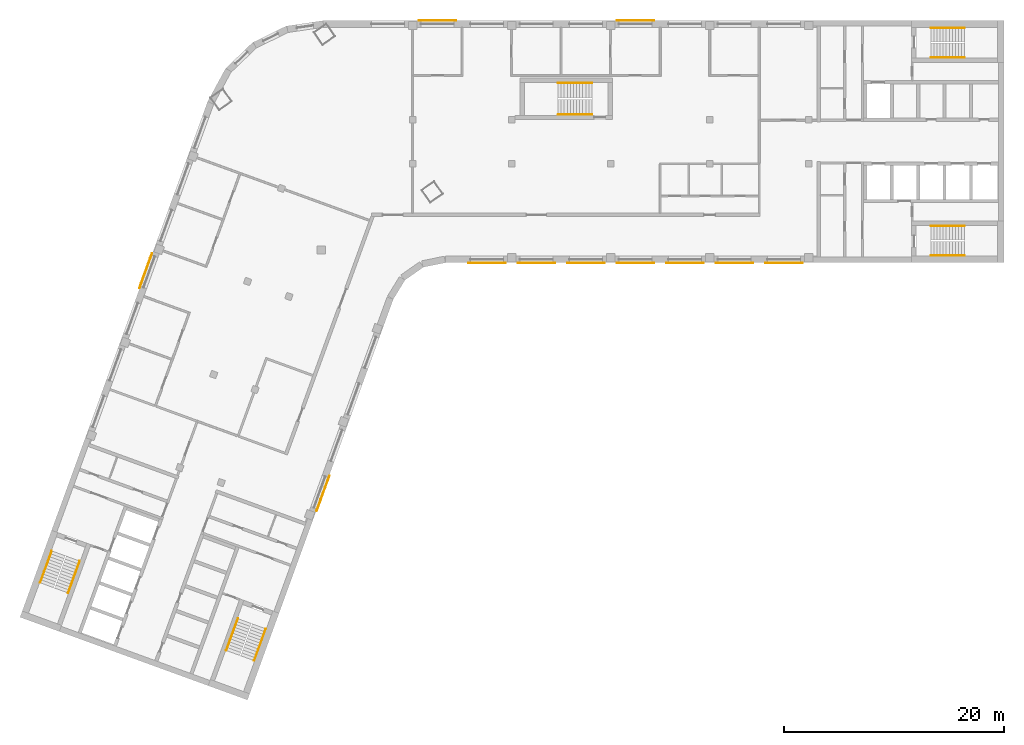
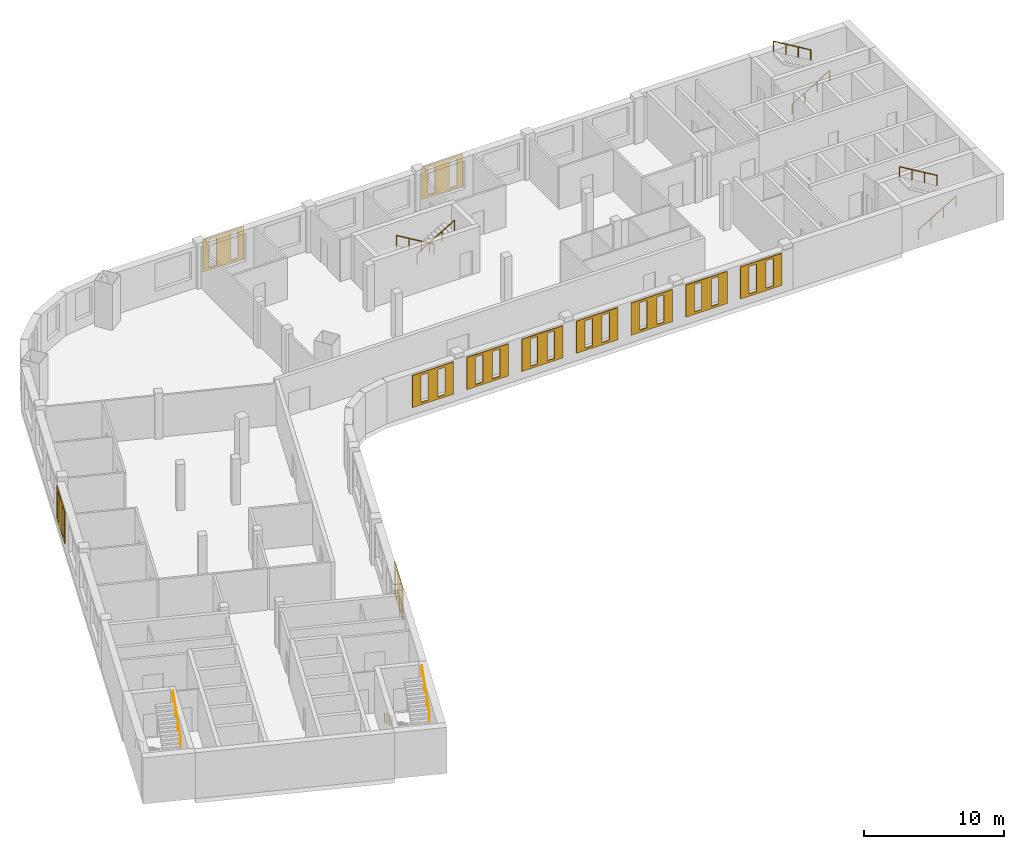
# One storey, part 8 of 8: 11 coverings, 10 railings.
"""IFC4 building model written with IfcOpenShell, lengths in metres."""

from ifc_helpers import new_model, si_unit, direction, frame, origin, origin_2d, place, context, subcontext, project, spatial, polyline, circle, outline, extrude, material, material_profile, profile_set, type_object, element, save


model = new_model("IFC4")

# Units and contexts
model_context = context("Model", 3, precision=1e-05, world=origin(), true_north=direction((0.0, 1.0)))
body_context = subcontext(model_context, "Body", "Model", "MODEL_VIEW")
ifc_project = project(units=[si_unit("LENGTHUNIT", "METRE"), si_unit("AREAUNIT", "SQUARE_METRE"), si_unit("VOLUMEUNIT", "CUBIC_METRE"), si_unit("PLANEANGLEUNIT", "RADIAN"), si_unit("MASSUNIT", "GRAM", prefix="KILO")], contexts=[model_context])

# Site, building, storey
site_placement = place(None, origin())
site = spatial("IfcSite", under=ifc_project, at=site_placement, CompositionType="ELEMENT")
building_placement = place(site_placement, origin())
building = spatial("IfcBuilding", under=site, at=building_placement, Name="Skarvind Civic Tower", CompositionType="ELEMENT")
storey_placement = place(building_placement, frame((0.0, 0.0, 200.0)))
storey = spatial("IfcBuildingStorey", under=building, at=storey_placement, Name="L47", CompositionType="ELEMENT", Elevation=200.0)

# Railings
ifc_material_1 = material(Name="Painted steel handrail", Category="steel")
railing_type = type_object("IfcRailingType", Name="Stair handrail 900", PredefinedType="HANDRAIL", material=ifc_material_1)
railing_1_placement = place(storey_placement, frame((101.35009765625, 135.64990234375, 0.166748046875)))
element("IfcRailing", 1, at=railing_1_placement, inside=storey, type_object=railing_type, Name="Stair handrail", PredefinedType="HANDRAIL", context=body_context, shape_type="SweptSolid", body=[
    extrude(circle(Radius=0.02392578125, at=origin_2d()), frame((0.0, 0.0, 0.8759765625), z_axis=(0.859290745958, 0.0, 0.51148745235), x_axis=(0.0, 1.0, 0.0)), (0.0, 0.0, 1.0), 3.584228515625),
    extrude(circle(Radius=0.02099609375, at=origin_2d()), origin(), (0.0, 0.0, 1.0), 0.851806640625),
    extrude(circle(Radius=0.02099609375, at=origin_2d()), frame((1.026611328125, 0.0, 0.611083984375)), (0.0, 0.0, 1.0), 0.851806640625),
    extrude(circle(Radius=0.02099609375, at=origin_2d()), frame((2.05322265625, 0.0, 1.22216796875)), (0.0, 0.0, 1.0), 0.851806640625),
    extrude(circle(Radius=0.02099609375, at=origin_2d()), frame((3.079833984375, 0.0, 1.833251953125)), (0.0, 0.0, 1.0), 0.851806640625),
])
railing_2_placement = place(storey_placement, frame((104.429931640625, 138.35009765625, 2.166748046875)))
element("IfcRailing", 2, at=railing_2_placement, inside=storey, type_object=railing_type, Name="Stair handrail", PredefinedType="HANDRAIL", context=body_context, shape_type="SweptSolid", body=[
    extrude(circle(Radius=0.02392578125, at=origin_2d()), frame((0.0, 0.0, 0.8759765625), z_axis=(-0.859290745958, 0.0, 0.51148745235), x_axis=(0.0, -1.0, 0.0)), (0.0, 0.0, 1.0), 3.584228515625),
    extrude(circle(Radius=0.02099609375, at=origin_2d()), origin(), (0.0, 0.0, 1.0), 0.851806640625),
    extrude(circle(Radius=0.02099609375, at=origin_2d()), frame((-1.026611328125, 0.0, 0.611083984375)), (0.0, 0.0, 1.0), 0.851806640625),
    extrude(circle(Radius=0.02099609375, at=origin_2d()), frame((-2.05322265625, 0.0, 1.22216796875)), (0.0, 0.0, 1.0), 0.851806640625),
    extrude(circle(Radius=0.02099609375, at=origin_2d()), frame((-3.079833984375, 0.0, 1.833251953125)), (0.0, 0.0, 1.0), 0.851806640625),
])
railing_3_placement = place(storey_placement, frame((101.35009765625, 117.64990234375, 0.166748046875)))
element("IfcRailing", 3, at=railing_3_placement, inside=storey, type_object=railing_type, Name="Stair handrail", PredefinedType="HANDRAIL", context=body_context, shape_type="SweptSolid", body=[
    extrude(circle(Radius=0.02392578125, at=origin_2d()), frame((0.0, 0.0, 0.8759765625), z_axis=(0.859290745958, 0.0, 0.51148745235), x_axis=(0.0, 1.0, 0.0)), (0.0, 0.0, 1.0), 3.584228515625),
    extrude(circle(Radius=0.02099609375, at=origin_2d()), origin(), (0.0, 0.0, 1.0), 0.851806640625),
    extrude(circle(Radius=0.02099609375, at=origin_2d()), frame((1.026611328125, 0.0, 0.611083984375)), (0.0, 0.0, 1.0), 0.851806640625),
    extrude(circle(Radius=0.02099609375, at=origin_2d()), frame((2.05322265625, 0.0, 1.22216796875)), (0.0, 0.0, 1.0), 0.851806640625),
    extrude(circle(Radius=0.02099609375, at=origin_2d()), frame((3.079833984375, 0.0, 1.833251953125)), (0.0, 0.0, 1.0), 0.851806640625),
])
railing_4_placement = place(storey_placement, frame((104.429931640625, 120.35009765625, 2.166748046875)))
element("IfcRailing", 4, at=railing_4_placement, inside=storey, type_object=railing_type, Name="Stair handrail", PredefinedType="HANDRAIL", context=body_context, shape_type="SweptSolid", body=[
    extrude(circle(Radius=0.02392578125, at=origin_2d()), frame((0.0, 0.0, 0.8759765625), z_axis=(-0.859290745958, 0.0, 0.51148745235), x_axis=(0.0, -1.0, 0.0)), (0.0, 0.0, 1.0), 3.584228515625),
    extrude(circle(Radius=0.02099609375, at=origin_2d()), origin(), (0.0, 0.0, 1.0), 0.851806640625),
    extrude(circle(Radius=0.02099609375, at=origin_2d()), frame((-1.026611328125, 0.0, 0.611083984375)), (0.0, 0.0, 1.0), 0.851806640625),
    extrude(circle(Radius=0.02099609375, at=origin_2d()), frame((-2.05322265625, 0.0, 1.22216796875)), (0.0, 0.0, 1.0), 0.851806640625),
    extrude(circle(Radius=0.02099609375, at=origin_2d()), frame((-3.079833984375, 0.0, 1.833251953125)), (0.0, 0.0, 1.0), 0.851806640625),
])
railing_5_placement = place(storey_placement, frame((38.362060546875, 84.64794921875, 0.166748046875)))
element("IfcRailing", 5, at=railing_5_placement, inside=storey, type_object=railing_type, Name="Stair handrail", PredefinedType="HANDRAIL", context=body_context, shape_type="SweptSolid", body=[
    extrude(circle(Radius=0.02392578125, at=origin_2d()), frame((0.0, 0.0, 0.8759765625), z_axis=(-0.293908055923, -0.807480881337, 0.511461319103), x_axis=(0.939689235759, -0.342029443467, 0.0)), (0.0, 0.0, 1.0), 3.584228515625),
    extrude(circle(Radius=0.02099609375, at=origin_2d()), origin(), (0.0, 0.0, 1.0), 0.851806640625),
    extrude(circle(Radius=0.02099609375, at=origin_2d()), frame((-0.35107421875, -0.96484375, 0.611083984375)), (0.0, 0.0, 1.0), 0.851806640625),
    extrude(circle(Radius=0.02099609375, at=origin_2d()), frame((-0.702392578125, -1.929443359375, 1.22216796875)), (0.0, 0.0, 1.0), 0.851806640625),
    extrude(circle(Radius=0.02099609375, at=origin_2d()), frame((-1.053466796875, -2.894287109375, 1.833251953125)), (0.0, 0.0, 1.0), 0.851806640625),
])
railing_6_placement = place(storey_placement, frame((39.845703125, 80.830078125, 2.166748046875)))
element("IfcRailing", 6, at=railing_6_placement, inside=storey, type_object=railing_type, Name="Stair handrail", PredefinedType="HANDRAIL", context=body_context, shape_type="SweptSolid", body=[
    extrude(circle(Radius=0.02392578125, at=origin_2d()), frame((0.0, 0.0, 0.8759765625), z_axis=(0.293908055923, 0.807480881337, 0.511461319103), x_axis=(-0.939689235759, 0.342029443467, 0.0)), (0.0, 0.0, 1.0), 3.584228515625),
    extrude(circle(Radius=0.02099609375, at=origin_2d()), origin(), (0.0, 0.0, 1.0), 0.851806640625),
    extrude(circle(Radius=0.02099609375, at=origin_2d()), frame((0.35107421875, 0.96484375, 0.611083984375)), (0.0, 0.0, 1.0), 0.851806640625),
    extrude(circle(Radius=0.02099609375, at=origin_2d()), frame((0.702392578125, 1.929443359375, 1.22216796875)), (0.0, 0.0, 1.0), 0.851806640625),
    extrude(circle(Radius=0.02099609375, at=origin_2d()), frame((1.053466796875, 2.894287109375, 1.833251953125)), (0.0, 0.0, 1.0), 0.851806640625),
])
railing_7_placement = place(storey_placement, frame((21.447509765625, 90.80419921875, 0.166748046875)))
element("IfcRailing", 7, at=railing_7_placement, inside=storey, type_object=railing_type, Name="Stair handrail", PredefinedType="HANDRAIL", context=body_context, shape_type="SweptSolid", body=[
    extrude(circle(Radius=0.02392578125, at=origin_2d()), frame((0.0, 0.0, 0.8759765625), z_axis=(-0.293845824691, -0.807497044902, 0.511471557163), x_axis=(0.939714709796, -0.34195944817, 0.0)), (0.0, 0.0, 1.0), 3.584228515625),
    extrude(circle(Radius=0.02099609375, at=origin_2d()), origin(), (0.0, 0.0, 1.0), 0.851806640625),
    extrude(circle(Radius=0.02099609375, at=origin_2d()), frame((-0.35107421875, -0.96484375, 0.611083984375)), (0.0, 0.0, 1.0), 0.851806640625),
    extrude(circle(Radius=0.02099609375, at=origin_2d()), frame((-0.7021484375, -1.929443359375, 1.22216796875)), (0.0, 0.0, 1.0), 0.851806640625),
    extrude(circle(Radius=0.02099609375, at=origin_2d()), frame((-1.05322265625, -2.894287109375, 1.833251953125)), (0.0, 0.0, 1.0), 0.851806640625),
])
railing_8_placement = place(storey_placement, frame((22.931396484375, 86.986572265625, 2.166748046875)))
element("IfcRailing", 8, at=railing_8_placement, inside=storey, type_object=railing_type, Name="Stair handrail", PredefinedType="HANDRAIL", context=body_context, shape_type="SweptSolid", body=[
    extrude(circle(Radius=0.02392578125, at=origin_2d()), frame((0.0, 0.0, 0.8759765625), z_axis=(0.293908055923, 0.807480881337, 0.511461319103), x_axis=(-0.939689235759, 0.342029443467, 0.0)), (0.0, 0.0, 1.0), 3.584228515625),
    extrude(circle(Radius=0.02099609375, at=origin_2d()), origin(), (0.0, 0.0, 1.0), 0.851806640625),
    extrude(circle(Radius=0.02099609375, at=origin_2d()), frame((0.35107421875, 0.96484375, 0.611083984375)), (0.0, 0.0, 1.0), 0.851806640625),
    extrude(circle(Radius=0.02099609375, at=origin_2d()), frame((0.702392578125, 1.929443359375, 1.22216796875)), (0.0, 0.0, 1.0), 0.851806640625),
    extrude(circle(Radius=0.02099609375, at=origin_2d()), frame((1.053466796875, 2.894287109375, 1.833251953125)), (0.0, 0.0, 1.0), 0.851806640625),
])
railing_9_placement = place(storey_placement, frame((70.550048828125, 133.35009765625, 0.166748046875)))
element("IfcRailing", 9, at=railing_9_placement, inside=storey, type_object=railing_type, Name="Stair handrail", PredefinedType="HANDRAIL", context=body_context, shape_type="SweptSolid", body=[
    extrude(circle(Radius=0.02392578125, at=origin_2d()), frame((0.0, 0.0, 0.8759765625), z_axis=(-0.859308565015, 0.0, 0.511457515432), x_axis=(0.0, -1.0, 0.0)), (0.0, 0.0, 1.0), 3.58447265625),
    extrude(circle(Radius=0.02099609375, at=origin_2d()), origin(), (0.0, 0.0, 1.0), 0.851806640625),
    extrude(circle(Radius=0.02099609375, at=origin_2d()), frame((-1.026611328125, 0.0, 0.611083984375)), (0.0, 0.0, 1.0), 0.851806640625),
    extrude(circle(Radius=0.02099609375, at=origin_2d()), frame((-2.053466796875, 0.0, 1.22216796875)), (0.0, 0.0, 1.0), 0.851806640625),
    extrude(circle(Radius=0.02099609375, at=origin_2d()), frame((-3.080078125, 0.0, 1.833251953125)), (0.0, 0.0, 1.0), 0.851806640625),
])
railing_10_placement = place(storey_placement, frame((67.469970703125, 130.449951171875, 2.166748046875)))
element("IfcRailing", 10, at=railing_10_placement, inside=storey, type_object=railing_type, Name="Stair handrail", PredefinedType="HANDRAIL", context=body_context, shape_type="SweptSolid", body=[
    extrude(circle(Radius=0.02392578125, at=origin_2d()), frame((0.0, 0.0, 0.8759765625), z_axis=(0.859308565015, 0.0, 0.511457515432), x_axis=(0.0, 1.0, 0.0)), (0.0, 0.0, 1.0), 3.58447265625),
    extrude(circle(Radius=0.02099609375, at=origin_2d()), origin(), (0.0, 0.0, 1.0), 0.851806640625),
    extrude(circle(Radius=0.02099609375, at=origin_2d()), frame((1.026611328125, 0.0, 0.611083984375)), (0.0, 0.0, 1.0), 0.851806640625),
    extrude(circle(Radius=0.02099609375, at=origin_2d()), frame((2.053466796875, 0.0, 1.22216796875)), (0.0, 0.0, 1.0), 0.851806640625),
    extrude(circle(Radius=0.02099609375, at=origin_2d()), frame((3.080078125, 0.0, 1.833251953125)), (0.0, 0.0, 1.0), 0.851806640625),
])

# Coverings
ifc_material_2 = material(Name="Terracotta", Category="masonry")
ifc_material_profile_1 = material_profile(ifc_material_2, outline(polyline([(-1.699951171875, -1.39990234375), (1.699951171875, -1.39990234375), (1.699951171875, 1.39990234375), (-1.699951171875, 1.39990234375), (-1.699951171875, -1.39990234375)]), holes=[polyline([(-1.0, -1.18994140625), (-0.39990234375, -1.18994140625), (-0.39990234375, 1.18994140625), (-1.0, 1.18994140625), (-1.0, -1.18994140625)]), polyline([(0.39990234375, -1.18994140625), (1.0, -1.18994140625), (1.0, 1.18994140625), (0.39990234375, 1.18994140625), (0.39990234375, -1.18994140625)])]), Name="TERRACOTTA SCREEN 3400 x 2800, SLIT PITCH 1400")
ifc_profile_set_1 = profile_set([ifc_material_profile_1], Name="Terracotta")
covering_type_1 = type_object("IfcCoveringType", Name="TERRACOTTA SCREEN 3400 x 2800, SLIT PITCH 1400", PredefinedType="CLADDING", material=ifc_profile_set_1)
for number, where, z_axis, x_axis, name in (
    (11, (88.0, 117.0, 2.10009765625), (0.0, -1.0, 0.0), (1.0, 0.0, 0.0), "TERRACOTTA SCREEN"),
    (12, (83.5, 117.0, 2.10009765625), (0.0, -1.0, 0.0), (1.0, 0.0, 0.0), "TERRACOTTA SCREEN"),
    (13, (79.0, 117.0, 2.10009765625), (0.0, -1.0, 0.0), (1.0, 0.0, 0.0), "TERRACOTTA SCREEN"),
    (14, (74.5, 117.0, 2.10009765625), (0.0, -1.0, 0.0), (1.0, 0.0, 0.0), "TERRACOTTA SCREEN"),
    (15, (70.0, 117.0, 2.10009765625), (0.0, -1.0, 0.0), (1.0, 0.0, 0.0), "TERRACOTTA SCREEN"),
    (16, (65.5, 117.0, 2.10009765625), (0.0, -1.0, 0.0), (1.0, 0.0, 0.0), "TERRACOTTA SCREEN"),
    (17, (61.0, 117.0, 2.10009765625), (0.0, -1.0, 0.0), (1.0, 0.0, 0.0), "TERRACOTTA SCREEN"),
):
    element("IfcCovering", number, at=place(storey_placement, frame(where, z_axis=z_axis, x_axis=x_axis)), inside=storey, type_object=covering_type_1, Name=name, PredefinedType="CLADDING", context=body_context, shape_type="SweptSolid", body=[
        extrude(outline(polyline([(-1.699951171875, -1.39990234375), (1.699951171875, -1.39990234375), (1.699951171875, 1.39990234375), (-1.699951171875, 1.39990234375), (-1.699951171875, -1.39990234375)]), holes=[polyline([(-1.0, -1.18994140625), (-0.39990234375, -1.18994140625), (-0.39990234375, 1.18994140625), (-1.0, 1.18994140625), (-1.0, -1.18994140625)]), polyline([(0.39990234375, -1.18994140625), (1.0, -1.18994140625), (1.0, 1.18994140625), (0.39990234375, 1.18994140625), (0.39990234375, -1.18994140625)])]), origin(), (0.0, 0.0, 1.0), 0.06005859375),
    ])
ifc_material_profile_2 = material_profile(ifc_material_2, outline(polyline([(-1.699951171875, -1.39990234375), (1.699951171875, -1.39990234375), (1.699951171875, 1.39990234375), (-1.699951171875, 1.39990234375), (-1.699951171875, -1.39990234375)]), holes=[polyline([(-1.199951171875, -1.18994140625), (-0.60009765625, -1.18994140625), (-0.60009765625, 1.18994140625), (-1.199951171875, 1.18994140625), (-1.199951171875, -1.18994140625)]), polyline([(0.60009765625, -1.18994140625), (1.199951171875, -1.18994140625), (1.199951171875, 1.18994140625), (0.60009765625, 1.18994140625), (0.60009765625, -1.18994140625)])]), Name="TERRACOTTA SCREEN 3400 x 2800, SLIT PITCH 1800")
ifc_profile_set_2 = profile_set([ifc_material_profile_2], Name="Terracotta")
covering_type_2 = type_object("IfcCoveringType", Name="TERRACOTTA SCREEN 3400 x 2800, SLIT PITCH 1800", PredefinedType="CLADDING", material=ifc_profile_set_2)
for number, where, z_axis, x_axis, name in (
    (18, (46.075927734375, 96.047119140625, 2.10009765625), (0.939793423488, -0.341743063087, 0.0), (0.341743063087, 0.939793423488, 0.0), "TERRACOTTA SCREEN"),
    (19, (56.5, 139.0, 2.10009765625), (0.0, 1.0, 0.0), (-1.0, 0.0, 0.0), "TERRACOTTA SCREEN"),
    (20, (74.5, 139.0, 2.10009765625), (0.0, 1.0, 0.0), (-1.0, 0.0, 0.0), "TERRACOTTA SCREEN"),
    (21, (30.02001953125, 116.25732421875, 2.10009765625), (-0.939793423488, 0.341743063087, 0.0), (-0.341743063087, -0.939793423488, 0.0), "TERRACOTTA SCREEN"),
):
    element("IfcCovering", number, at=place(storey_placement, frame(where, z_axis=z_axis, x_axis=x_axis)), inside=storey, type_object=covering_type_2, Name=name, PredefinedType="CLADDING", context=body_context, shape_type="SweptSolid", body=[
        extrude(outline(polyline([(-1.699951171875, -1.39990234375), (1.699951171875, -1.39990234375), (1.699951171875, 1.39990234375), (-1.699951171875, 1.39990234375), (-1.699951171875, -1.39990234375)]), holes=[polyline([(-1.199951171875, -1.18994140625), (-0.60009765625, -1.18994140625), (-0.60009765625, 1.18994140625), (-1.199951171875, 1.18994140625), (-1.199951171875, -1.18994140625)]), polyline([(0.60009765625, -1.18994140625), (1.199951171875, -1.18994140625), (1.199951171875, 1.18994140625), (0.60009765625, 1.18994140625), (0.60009765625, -1.18994140625)])]), origin(), (0.0, 0.0, 1.0), 0.06005859375),
    ])

save(model, "model.ifc")
